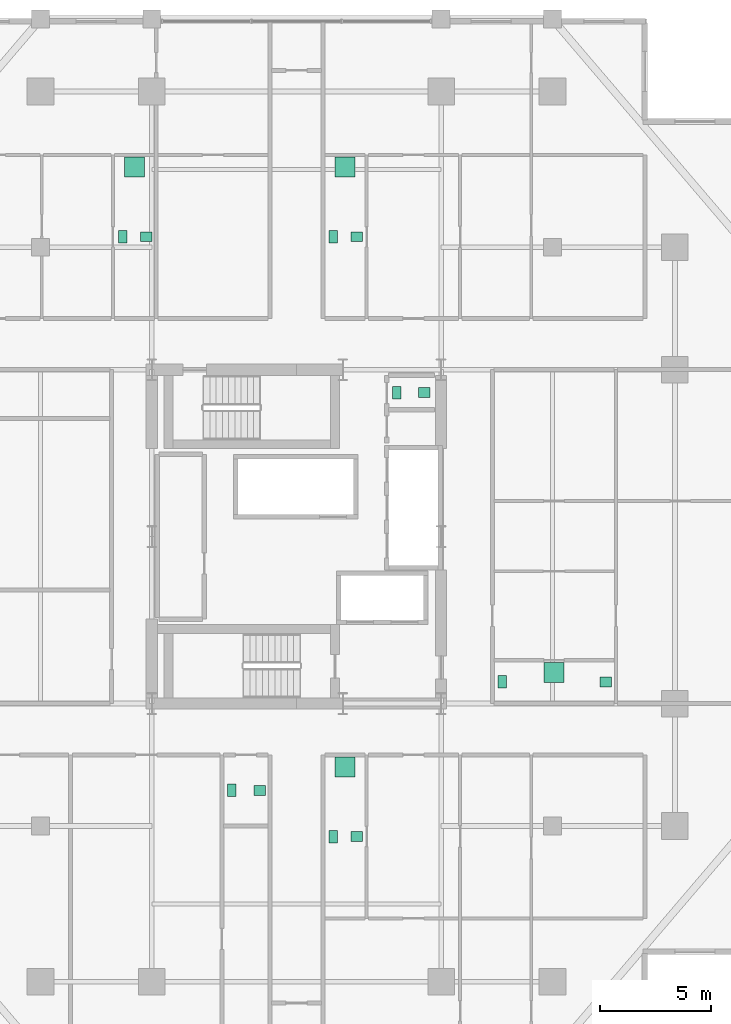
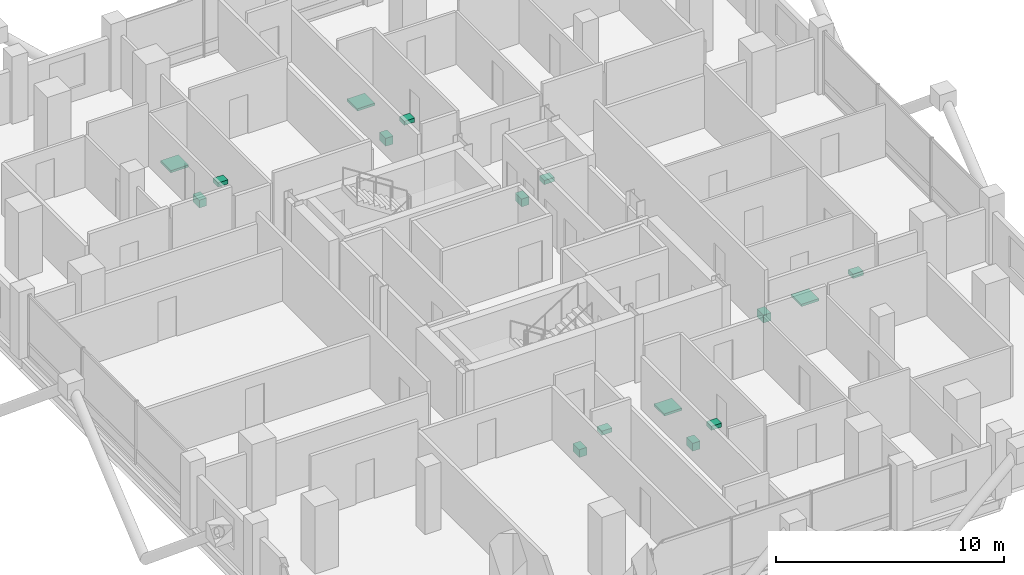
# One storey, part 23 of 23: 16 sanitary terminals.
"""IFC4 building model written with IfcOpenShell, lengths in metres."""

from ifc_helpers import new_model, si_unit, direction, frame, origin, origin_2d, place, context, subcontext, project, spatial, rectangle, extrude, material, type_object, element, save


model = new_model("IFC4")

# Units and contexts
model_context = context("Model", 3, precision=1e-05, world=origin(), true_north=direction((0.0, 1.0)))
body_context = subcontext(model_context, "Body", "Model", "MODEL_VIEW")
ifc_project = project(units=[si_unit("LENGTHUNIT", "METRE"), si_unit("AREAUNIT", "SQUARE_METRE"), si_unit("VOLUMEUNIT", "CUBIC_METRE"), si_unit("PLANEANGLEUNIT", "RADIAN"), si_unit("MASSUNIT", "GRAM", prefix="KILO")], contexts=[model_context])

# Site, building, storey
site_placement = place(None, origin())
site = spatial("IfcSite", under=ifc_project, at=site_placement, CompositionType="ELEMENT")
building_placement = place(site_placement, origin())
building = spatial("IfcBuilding", under=site, at=building_placement, Name="Barlavira Tower and Art Museum", CompositionType="ELEMENT")
storey_placement = place(building_placement, frame((0.0, 0.0, 151.199951171875)))
storey = spatial("IfcBuildingStorey", under=building, at=storey_placement, Name="L38", CompositionType="ELEMENT", Elevation=151.199951171875)

# Sanitary terminals
ifc_material = material(Name="Vitreous glazed ceramic", Category="ceramic")
sanitary_terminal_type_1 = type_object("IfcSanitaryTerminalType", Name="Countertop Ceramic Wash Hand Basin", PredefinedType="WASHHANDBASIN", material=ifc_material)
for number, where, z_axis, x_axis, name in (
    (1, (5.75, 6.47509765625, 0.740234375), (0.0, 0.0, 1.0), (1.0, 0.0, 0.0), "L38-C-WC1 Wash Basin"),
    (2, (-1.64990234375, -11.39990234375, 0.740234375), (0.0, 0.0, 1.0), (1.0, 0.0, 0.0), "L38-SW-SWC Wash Basin"),
    (3, (2.699951171875, -13.47509765625, 0.740234375), (0.0, 0.0, 1.0), (1.0, 0.0, 0.0), "L38-SE1-BTH1 Wash Basin"),
    (4, (-6.75, 13.47509765625, 0.740234375), (0.0, 0.0, 1.0), (1.0, 0.0, 0.0), "L38-NW1-BTH1 Wash Basin"),
    (5, (2.699951171875, 13.47509765625, 0.740234375), (0.0, 0.0, 1.0), (1.0, 0.0, 0.0), "L38-NE1-BTH1 Wash Basin"),
    (6, (13.89990234375, -6.52490234375, 0.740234375), (0.0, 0.0, 1.0), (1.0, 0.0, 0.0), "L38-E1-BTH1 Wash Basin"),
):
    element("IfcSanitaryTerminal", number, at=place(storey_placement, frame(where, z_axis=z_axis, x_axis=x_axis)), inside=storey, type_object=sanitary_terminal_type_1, Name=name, PredefinedType="WASHHANDBASIN", context=body_context, shape_type="SweptSolid", body=[
        extrude(rectangle(XDim=0.52001953125, YDim=0.43994140625, at=origin_2d()), origin(), (0.0, 0.0, 1.0), 0.219970703125),
    ])
sanitary_terminal_type_2 = type_object("IfcSanitaryTerminalType", Name="Walk-In Thermostatic Rain Shower Unit", PredefinedType="SHOWER", material=ifc_material)
for number, where, z_axis, x_axis, name in (
    (7, (2.175048828125, -10.35009765625, 0.0), (0.0, 0.0, 1.0), (1.0, 0.0, 0.0), "L38-SE1-BTH1 Rain Shower"),
    (8, (-7.27490234375, 16.60009765625, 0.0), (0.0, 0.0, 1.0), (1.0, 0.0, 0.0), "L38-NW1-BTH1 Rain Shower"),
    (9, (2.175048828125, 16.60009765625, 0.0), (0.0, 0.0, 1.0), (1.0, 0.0, 0.0), "L38-NE1-BTH1 Rain Shower"),
    (10, (11.574951171875, -6.10009765625, 0.0), (0.0, 0.0, 1.0), (1.0, 0.0, 0.0), "L38-E1-BTH1 Rain Shower"),
):
    element("IfcSanitaryTerminal", number, at=place(storey_placement, frame(where, z_axis=z_axis, x_axis=x_axis)), inside=storey, type_object=sanitary_terminal_type_2, Name=name, PredefinedType="SHOWER", context=body_context, shape_type="SweptSolid", body=[
        extrude(rectangle(XDim=0.89990234375, YDim=0.89990234375, at=origin_2d()), origin(), (0.0, 0.0, 1.0), 0.1201171875),
    ])
sanitary_terminal_type_3 = type_object("IfcSanitaryTerminalType", Name="Wall-Hung Dual-Flush Vitreous WC Pan", PredefinedType="TOILETPAN", material=ifc_material)
for number, where, z_axis, x_axis, name in (
    (11, (4.5, 6.47509765625, 0.0), (0.0, 0.0, 1.0), (1.0, 0.0, 0.0), "L38-C-WC1 WC Pan"),
    (12, (-2.89990234375, -11.39990234375, 0.0), (0.0, 0.0, 1.0), (1.0, 0.0, 0.0), "L38-SW-SWC WC Pan"),
    (13, (1.64990234375, -13.47509765625, 0.0), (0.0, 0.0, 1.0), (1.0, 0.0, 0.0), "L38-SE1-BTH1 WC Pan"),
    (14, (-7.800048828125, 13.47509765625, 0.0), (0.0, 0.0, 1.0), (1.0, 0.0, 0.0), "L38-NW1-BTH1 WC Pan"),
    (15, (1.64990234375, 13.47509765625, 0.0), (0.0, 0.0, 1.0), (1.0, 0.0, 0.0), "L38-NE1-BTH1 WC Pan"),
    (16, (9.25, -6.52490234375, 0.0), (0.0, 0.0, 1.0), (1.0, 0.0, 0.0), "L38-E1-BTH1 WC Pan"),
):
    element("IfcSanitaryTerminal", number, at=place(storey_placement, frame(where, z_axis=z_axis, x_axis=x_axis)), inside=storey, type_object=sanitary_terminal_type_3, Name=name, PredefinedType="TOILETPAN", context=body_context, shape_type="SweptSolid", body=[
        extrude(rectangle(XDim=0.3798828125, YDim=0.56005859375, at=origin_2d()), origin(), (0.0, 0.0, 1.0), 0.419921875),
    ])

save(model, "model.ifc")
